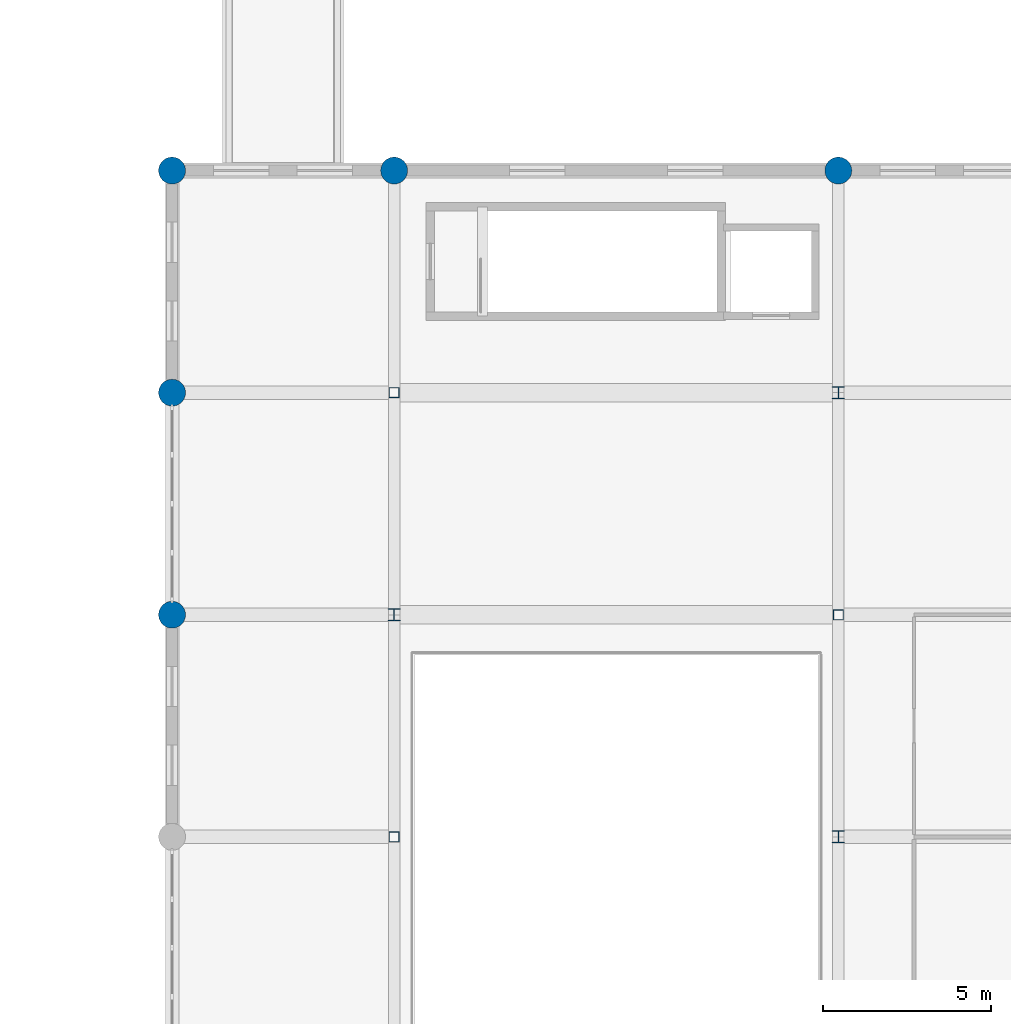
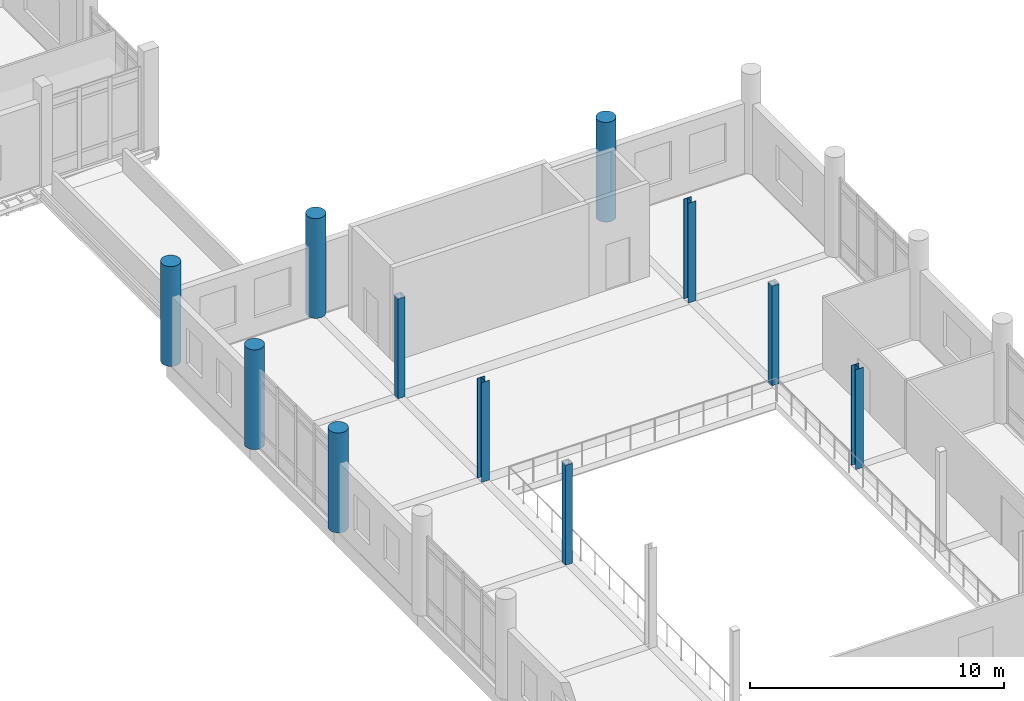
# One storey, part 3 of 76: 11 columns.
"""IFC4 building model written with IfcOpenShell, lengths in metres."""

import ifcopenshell
import ifcopenshell.guid

model = None  # the IFC model being written
_history = None  # IfcOwnerHistory: only IFC2X3 demands one
_inside = {}  # id of a spatial element -> (the spatial element, [elements in it])
_under = {}  # id of a project, library or spatial element -> (it, [spatial elements below it])
_declared = {}  # id of a project -> (the project, [libraries it declares])
_typed = {}  # id of a type object -> (the type object, [elements of that type])
_made_of = {}  # id of a material, layer set ... -> (it, [elements and type objects made of it])


def new_model(schema):
    """Start an empty IFC model of exactly this schema.

    Asked for "IFC4X3", IfcOpenShell would pick the latest addendum, in which some entities
    have other attributes; the version numbers below select the first issue.
    IFC2X3 requires an IfcOwnerHistory on every rooted entity: one is made here for all.
    """
    global model, _history
    if schema == "IFC4X3":
        model = ifcopenshell.file(schema_version=(4, 3, 0, 0))
    else:
        model = ifcopenshell.file(schema=schema)
    _inside.clear()
    _under.clear()
    _declared.clear()
    _typed.clear()
    _made_of.clear()
    _history = None
    if model.schema == "IFC2X3":
        org = make("IfcOrganization", Name="unknown")
        user = make(
            "IfcPersonAndOrganization",
            ThePerson=make("IfcPerson", FamilyName="unknown"),
            TheOrganization=org,
        )
        app = make(
            "IfcApplication",
            ApplicationDeveloper=org,
            Version="unknown",
            ApplicationFullName="unknown",
            ApplicationIdentifier="unknown",
        )
        _history = make(
            "IfcOwnerHistory",
            OwningUser=user,
            OwningApplication=app,
            ChangeAction="ADDED",
            CreationDate=0,
        )
    return model


def make(cls, **values):
    """One entity of the class cls with the attributes given. An attribute that is None is left unset."""
    return model.create_entity(
        cls, **{name: value for name, value in values.items() if value is not None}
    )


def rooted(cls, **values):
    """An entity with a GlobalId (a new one), such as an element, a storey or a relation."""
    return make(cls, GlobalId=ifcopenshell.guid.new(), OwnerHistory=_history, **values)


def si_unit(unit_type, name, prefix=None):
    """IfcSIUnit, for example si_unit("LENGTHUNIT", "METRE", prefix="MILLI")."""
    return make("IfcSIUnit", UnitType=unit_type, Prefix=prefix, Name=name)


def assignment(units):
    """IfcUnitAssignment: the units of a project."""
    return None if units is None else make("IfcUnitAssignment", Units=units)


def point(xyz):
    """IfcCartesianPoint."""
    return None if xyz is None else make("IfcCartesianPoint", Coordinates=xyz)


def direction(xyz):
    """IfcDirection."""
    return None if xyz is None else make("IfcDirection", DirectionRatios=xyz)


def frame(location, z_axis=None, x_axis=None):
    """IfcAxis2Placement3D, a coordinate frame: its origin and axes. An axis left out is left unset."""
    return make(
        "IfcAxis2Placement3D",
        Location=point(location),
        Axis=direction(z_axis),
        RefDirection=direction(x_axis),
    )


def frame_2d(location, x_axis=None):
    """IfcAxis2Placement2D, a coordinate frame in the plane: its origin and x axis."""
    return make(
        "IfcAxis2Placement2D", Location=point(location), RefDirection=direction(x_axis)
    )


def origin():
    """The frame at (0, 0, 0) with its axes left unset."""
    return frame((0.0, 0.0, 0.0))


def origin_2d():
    """The frame at (0, 0) in the plane with its x axis left unset."""
    return frame_2d((0.0, 0.0))


def place(relative_to, where):
    """IfcLocalPlacement: puts the frame where relative to a parent placement (None: the world)."""
    return make(
        "IfcLocalPlacement", PlacementRelTo=relative_to, RelativePlacement=where
    )


def context(
    kind, dimensions, precision=None, world=None, true_north=None, identifier=None
):
    """IfcGeometricRepresentationContext, for example the 3D "Model" context."""
    return make(
        "IfcGeometricRepresentationContext",
        ContextIdentifier=identifier,
        ContextType=kind,
        CoordinateSpaceDimension=dimensions,
        Precision=precision,
        WorldCoordinateSystem=world,
        TrueNorth=true_north,
    )


def subcontext(parent, identifier, kind, view, scale=None):
    """IfcGeometricRepresentationSubContext, for example "Body" below "Model"."""
    return make(
        "IfcGeometricRepresentationSubContext",
        ContextIdentifier=identifier,
        ContextType=kind,
        ParentContext=parent,
        TargetScale=scale,
        TargetView=view,
    )


def project(units=None, contexts=None):
    """IfcProject with its units and contexts."""
    return rooted(
        "IfcProject",
        Name="project",
        RepresentationContexts=contexts,
        UnitsInContext=assignment(units),
    )


def spatial(cls, under=None, at=None, **own):
    """A site, building, storey or space (cls), placed at a placement, below another one or the project."""
    s = rooted(cls, ObjectPlacement=at, **own)
    if under is not None:
        _under.setdefault(under.id(), (under, []))[1].append(s)
    return s


def profile(cls, at=None, kind="AREA", **sizes):
    """A parametric profile (cls). Its sizes go by their IFC names, for example OverallWidth=200.0."""
    return make(cls, ProfileType=kind, Position=at, **sizes)


def hollow_rectangle(**sizes):
    """IfcRectangleHollowProfileDef."""
    return profile("IfcRectangleHollowProfileDef", **sizes)


def circle(**sizes):
    """IfcCircleProfileDef."""
    return profile("IfcCircleProfileDef", **sizes)


def i_section(**sizes):
    """IfcIShapeProfileDef."""
    return profile("IfcIShapeProfileDef", **sizes)


def extrude(swept, where, along, depth):
    """IfcExtrudedAreaSolid: the profile swept, set in the frame where, extruded along a direction by depth."""
    return make(
        "IfcExtrudedAreaSolid",
        SweptArea=swept,
        Position=where,
        ExtrudedDirection=direction(along),
        Depth=depth,
    )


def shape(context_of_items, identifier, shape_type, items):
    """IfcShapeRepresentation: the items that make up one representation, for example the "Body"."""
    return make(
        "IfcShapeRepresentation",
        ContextOfItems=context_of_items,
        RepresentationIdentifier=identifier,
        RepresentationType=shape_type,
        Items=items,
    )


def material(Name=None, Category=None):
    """IfcMaterial."""
    return make("IfcMaterial", Name=Name, Category=Category)


def material_profile(
    of_material, cross_section, Name=None, Category=None, Priority=None
):
    """IfcMaterialProfile: a cross section and its material."""
    return make(
        "IfcMaterialProfile",
        Name=Name,
        Material=of_material,
        Profile=cross_section,
        Priority=Priority,
        Category=Category,
    )


def profile_set(profiles, Name=None, composite=None):
    """IfcMaterialProfileSet."""
    return make(
        "IfcMaterialProfileSet",
        Name=Name,
        MaterialProfiles=profiles,
        CompositeProfile=composite,
    )


def made_of(thing, what):
    """Note that an element or type object is made of a material, layer set ...; save() writes the relation."""
    if what is not None:
        _made_of.setdefault(what.id(), (what, []))[1].append(thing)
    return thing


def type_object(cls, material=None, **own):
    """A type object (cls), such as IfcWallType, which elements share."""
    return made_of(rooted(cls, **own), material)


def element(
    cls,
    number,
    at=None,
    inside=None,
    cuts=None,
    type_object=None,
    material=None,
    context=None,
    identifier="Body",
    shape_type=None,
    held_by="IfcProductDefinitionShape",
    body=None,
    shapes=None,
    **own,
):
    """One element of the class cls, such as IfcWall. Its Tag is "e" and its number.

    at: its placement. inside: the storey or other place that contains it. cuts: it is an
    opening in that element (IfcRelVoidsElement). A single representation is given by context,
    identifier, shape_type and body (its items); several are given by shapes. held_by: the class
    of the entity that holds the representations. save() writes the other relations.
    """
    e = rooted(cls, Tag="e%d" % number, ObjectPlacement=at, **own)
    if body is not None:
        shapes = [shape(context, identifier, shape_type, body)]
    if shapes is not None:
        e.Representation = make(held_by, Representations=shapes)
    if inside is not None:
        _inside.setdefault(inside.id(), (inside, []))[1].append(e)
    if cuts is not None:
        rooted(
            "IfcRelVoidsElement", RelatingBuildingElement=cuts, RelatedOpeningElement=e
        )
    if type_object is not None:
        _typed.setdefault(type_object.id(), (type_object, []))[1].append(e)
    return made_of(e, material)


def aggregate(whole, parts):
    """IfcRelAggregates: a whole, such as a stair, and the parts it consists of."""
    return rooted("IfcRelAggregates", RelatingObject=whole, RelatedObjects=parts)


def save(model, path):
    """Write the relations noted so far, then the file.

    IfcRelAggregates (storeys below a building ...), IfcRelContainedInSpatialStructure (elements
    in a storey), IfcRelDefinesByType, IfcRelAssociatesMaterial and IfcRelDeclares: one each for
    every whole, place, type object, material and project.
    """
    for whole, parts in _under.values():
        aggregate(whole, parts)
    for where, things in _inside.values():
        rooted(
            "IfcRelContainedInSpatialStructure",
            RelatedElements=things,
            RelatingStructure=where,
        )
    for kind, things in _typed.values():
        rooted("IfcRelDefinesByType", RelatedObjects=things, RelatingType=kind)
    for what, things in _made_of.values():
        rooted("IfcRelAssociatesMaterial", RelatedObjects=things, RelatingMaterial=what)
    for by, libraries in _declared.values():
        rooted("IfcRelDeclares", RelatingContext=by, RelatedDefinitions=libraries)
    model.write(path)


model = new_model("IFC4")

# Units and contexts
model_context = context("Model", 3, precision=1e-05, world=origin(), true_north=direction((0.0, 1.0)))
body_context = subcontext(model_context, "Body", "Model", "MODEL_VIEW")
ifc_project = project(units=[si_unit("LENGTHUNIT", "METRE"), si_unit("AREAUNIT", "SQUARE_METRE"), si_unit("VOLUMEUNIT", "CUBIC_METRE"), si_unit("PLANEANGLEUNIT", "RADIAN"), si_unit("MASSUNIT", "GRAM", prefix="KILO")], contexts=[model_context])

# Site, building, storey
site_placement = place(None, origin())
site = spatial("IfcSite", under=ifc_project, at=site_placement, CompositionType="ELEMENT")
building_placement = place(site_placement, origin())
building = spatial("IfcBuilding", under=site, at=building_placement, Name="Dornvale Research Institute", CompositionType="ELEMENT")
storey_placement = place(building_placement, frame((0.0, 0.0, 15.0)))
storey = spatial("IfcBuildingStorey", under=building, at=storey_placement, Name="L03", CompositionType="ELEMENT", Elevation=15.0)

# Columns
ifc_material_1 = material(Name="Concrete f'c 45 MPa (C35/45)", Category="concrete")
ifc_material_profile_1 = material_profile(ifc_material_1, circle(Radius=0.39990234375, at=origin_2d()), Name="RC DIA 800")
ifc_profile_set_1 = profile_set([ifc_material_profile_1], Name="Concrete f'c 45 MPa (C35/45)")
column_type_1 = type_object("IfcColumnType", Name="Column_RCDia800_Ext", PredefinedType="COLUMN", material=ifc_profile_set_1)
for number, where, z_axis, x_axis, name in (
    (1, (39.60009765625, 72.60009765625, 0.0), (0.0, 0.0, 1.0), (1.0, 0.0, 0.0), "L03 column #1119"),
    (2, (39.60009765625, 79.199951171875, 0.0), (0.0, 0.0, 1.0), (1.0, 0.0, 0.0), "L03 column #1120"),
    (3, (39.60009765625, 85.800048828125, 0.0), (0.0, 0.0, 1.0), (1.0, 0.0, 0.0), "L03 column #1121"),
    (4, (46.199951171875, 85.800048828125, 0.0), (0.0, 0.0, 1.0), (1.0, 0.0, 0.0), "L03 column #1129"),
    (5, (59.39990234375, 85.800048828125, 0.0), (0.0, 0.0, 1.0), (1.0, 0.0, 0.0), "L03 column #1137"),
):
    element("IfcColumn", number, at=place(storey_placement, frame(where, z_axis=z_axis, x_axis=x_axis)), inside=storey, type_object=column_type_1, Name=name, PredefinedType="COLUMN", context=body_context, shape_type="SweptSolid", body=[
        extrude(circle(Radius=0.39990234375, at=origin_2d()), origin(), (0.0, 0.0, 1.0), 4.800048828125),
    ])
ifc_material_2 = material(Name="Steel ASTM A500 Grade C", Category="steel")
ifc_material_profile_2 = material_profile(ifc_material_2, hollow_rectangle(XDim=0.304931640625, YDim=0.304931640625, WallThickness=0.01171875, at=origin_2d()), Name="HSS305X305X12.7")
ifc_profile_set_2 = profile_set([ifc_material_profile_2], Name="Steel ASTM A500 Grade C")
column_type_2 = type_object("IfcColumnType", Name="Column_Steel_HSS305", PredefinedType="COLUMN", material=ifc_profile_set_2)
for number, where, z_axis, x_axis, name in (
    (6, (46.199951171875, 66.0, 0.0), (0.0, 0.0, 1.0), (1.0, 0.0, 0.0), "L03 column #1126"),
    (7, (46.199951171875, 79.199951171875, 0.0), (0.0, 0.0, 1.0), (1.0, 0.0, 0.0), "L03 column #1128"),
    (8, (59.39990234375, 72.60009765625, 0.0), (0.0, 0.0, 1.0), (1.0, 0.0, 0.0), "L03 column #1135"),
):
    element("IfcColumn", number, at=place(storey_placement, frame(where, z_axis=z_axis, x_axis=x_axis)), inside=storey, type_object=column_type_2, Name=name, PredefinedType="COLUMN", context=body_context, shape_type="SweptSolid", body=[
        extrude(hollow_rectangle(XDim=0.304931640625, YDim=0.304931640625, WallThickness=0.01171875, at=origin_2d()), origin(), (0.0, 0.0, 1.0), 4.800048828125),
    ])
ifc_material_3 = material(Name="Steel ASTM A992 Grade 50", Category="steel")
ifc_material_profile_3 = material_profile(ifc_material_3, i_section(OverallWidth=0.35595703125, OverallDepth=0.35595703125, WebThickness=0.01123046875, FlangeThickness=0.01806640625, at=origin_2d()), Name="W14X90")
ifc_profile_set_3 = profile_set([ifc_material_profile_3], Name="Steel ASTM A992 Grade 50")
column_type_3 = type_object("IfcColumnType", Name="Column_Steel_W14X90", PredefinedType="COLUMN", material=ifc_profile_set_3)
for number, where, z_axis, x_axis, name in (
    (9, (46.199951171875, 72.60009765625, 0.0), (0.0, 0.0, 1.0), (1.0, 0.0, 0.0), "L03 column #1127"),
    (10, (59.39990234375, 66.0, 0.0), (0.0, 0.0, 1.0), (1.0, 0.0, 0.0), "L03 column #1134"),
    (11, (59.39990234375, 79.199951171875, 0.0), (0.0, 0.0, 1.0), (1.0, 0.0, 0.0), "L03 column #1136"),
):
    element("IfcColumn", number, at=place(storey_placement, frame(where, z_axis=z_axis, x_axis=x_axis)), inside=storey, type_object=column_type_3, Name=name, PredefinedType="COLUMN", context=body_context, shape_type="SweptSolid", body=[
        extrude(i_section(OverallWidth=0.35595703125, OverallDepth=0.35595703125, WebThickness=0.01123046875, FlangeThickness=0.01806640625, at=origin_2d()), origin(), (0.0, 0.0, 1.0), 4.800048828125),
    ])

save(model, "model.ifc")
